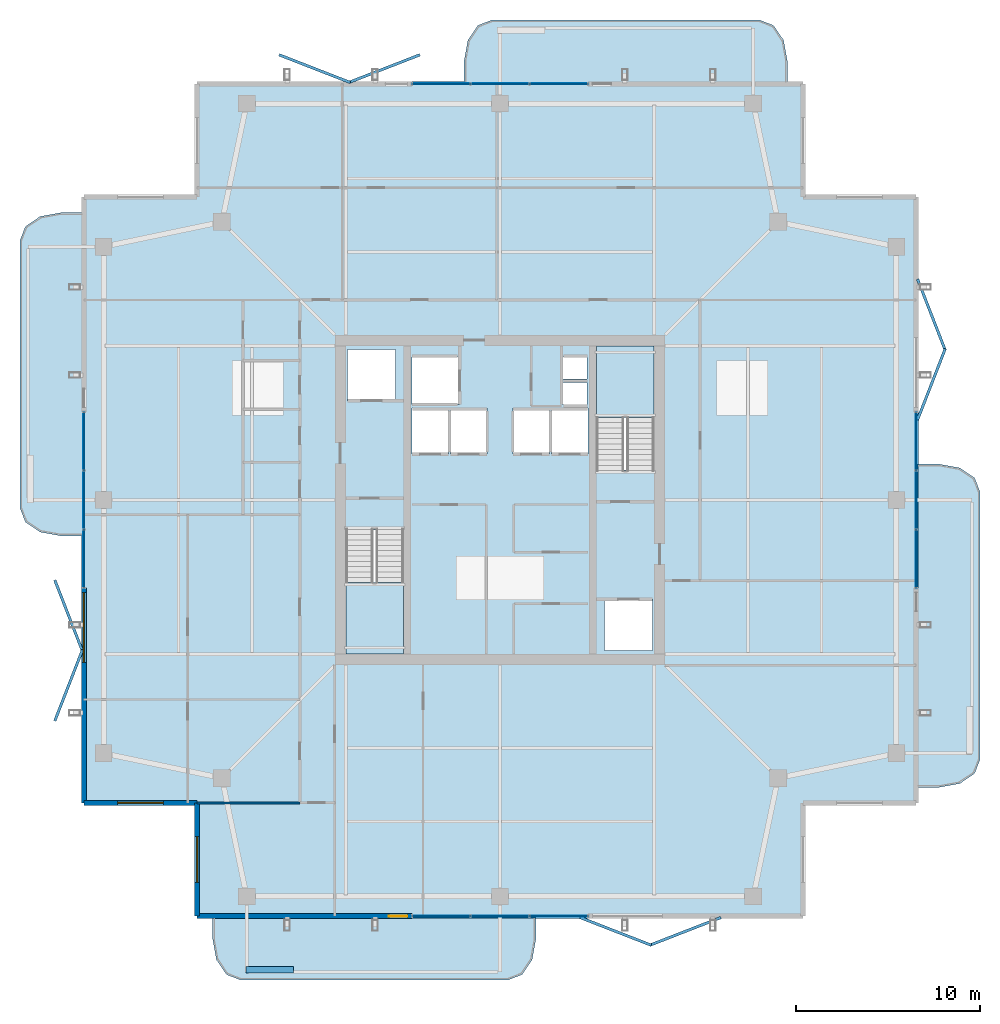
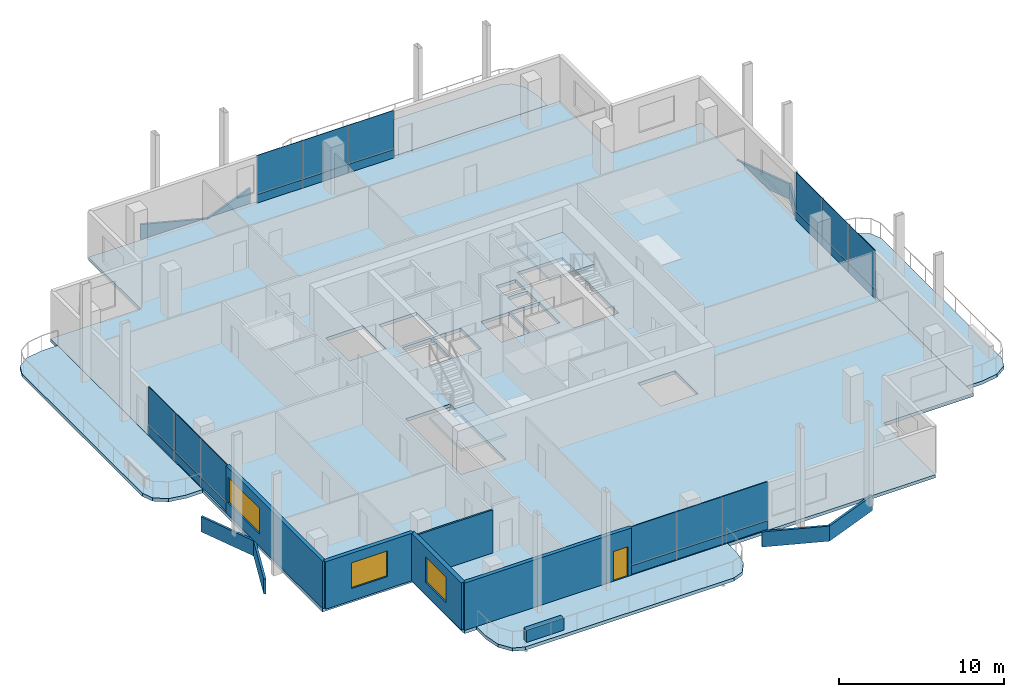
# One storey, part 13 of 20: 32 plates, 7 slabs, 6 walls, 3 windows, 1 door, 4 openings, 6 elements without a shape of their own.
"""IFC4 building model written with IfcOpenShell, lengths in metres."""

from ifc_helpers import new_model, si_unit, direction, frame, frame_2d, origin, origin_2d, place, context, subcontext, project, spatial, polyline, rectangle, outline, extrude, material, layer, layer_set, type_object, element, fill, aggregate, save


model = new_model("IFC4")

# Units and contexts
model_context = context("Model", 3, precision=1e-05, world=origin(), true_north=direction((0.0, 1.0)))
body_context = subcontext(model_context, "Body", "Model", "MODEL_VIEW")
ifc_project = project(units=[si_unit("LENGTHUNIT", "METRE"), si_unit("AREAUNIT", "SQUARE_METRE"), si_unit("VOLUMEUNIT", "CUBIC_METRE"), si_unit("PLANEANGLEUNIT", "RADIAN"), si_unit("MASSUNIT", "GRAM", prefix="KILO")], contexts=[model_context])

# Site, building, storey
site_placement = place(None, origin())
site = spatial("IfcSite", under=ifc_project, at=site_placement, CompositionType="ELEMENT")
building_placement = place(site_placement, origin())
building = spatial("IfcBuilding", under=site, at=building_placement, Name="Belovzor Exchange Tower", CompositionType="ELEMENT")
storey_placement = place(building_placement, frame((0.0, 0.0, 314.25)))
storey = spatial("IfcBuildingStorey", under=building, at=storey_placement, Name="L78", CompositionType="ELEMENT", Elevation=314.25)

# Slab
ifc_material_1 = material(Name="Concrete C40/50", Category="concrete")
ifc_layer_1 = layer(ifc_material_1, 0.239990234375)
ifc_layer_set_1 = layer_set([ifc_layer_1], Name="Concrete C40/50")
slab_type_1 = type_object("IfcSlabType", Name="Composite High-Rise Floor Deck Slab 240", PredefinedType="FLOOR", material=ifc_layer_set_1)
slab_1_placement = place(storey_placement, frame((0.0, 0.0, -0.239990234375)))
element("IfcSlab", 1, at=slab_1_placement, inside=storey, type_object=slab_type_1, Name="SL-F240 Structural Slab L78", PredefinedType="FLOOR", context=body_context, shape_type="SweptSolid", body=[
    extrude(outline(polyline([(12.300048828125, 6.0), (45.300048828125, 6.0), (45.300048828125, 12.300048828125), (51.60009765625, 12.300048828125), (51.60009765625, 45.300048828125), (45.300048828125, 45.300048828125), (45.300048828125, 51.60009765625), (12.300048828125, 51.60009765625), (12.300048828125, 45.300048828125), (6.0, 45.300048828125), (6.0, 12.300048828125), (12.300048828125, 12.300048828125), (12.300048828125, 6.0)]), holes=[polyline([(20.39990234375, 27.175048828125), (20.39990234375, 20.39990234375), (23.550048828125, 20.39990234375), (23.550048828125, 27.175048828125), (20.39990234375, 27.175048828125)]), polyline([(37.199951171875, 30.425048828125), (37.199951171875, 37.199951171875), (34.050048828125, 37.199951171875), (34.050048828125, 30.425048828125), (37.199951171875, 30.425048828125)]), polyline([(20.5, 34.199951171875), (23.10009765625, 34.199951171875), (23.10009765625, 37.0), (20.5, 37.0), (20.5, 34.199951171875)]), polyline([(34.5, 20.60009765625), (37.10009765625, 20.60009765625), (37.10009765625, 23.39990234375), (34.5, 23.39990234375), (34.5, 20.60009765625)]), polyline([(24.0, 34.0), (26.60009765625, 34.0), (26.60009765625, 36.60009765625), (24.0, 36.60009765625), (24.0, 34.0)]), polyline([(24.0, 31.300048828125), (26.0, 31.300048828125), (26.0, 33.800048828125), (24.0, 33.800048828125), (24.0, 31.300048828125)]), polyline([(26.10009765625, 31.300048828125), (28.10009765625, 31.300048828125), (28.10009765625, 33.800048828125), (26.10009765625, 33.800048828125), (26.10009765625, 31.300048828125)]), polyline([(29.5, 31.300048828125), (31.5, 31.300048828125), (31.5, 33.800048828125), (29.5, 33.800048828125), (29.5, 31.300048828125)]), polyline([(31.60009765625, 31.300048828125), (33.60009765625, 31.300048828125), (33.60009765625, 33.800048828125), (31.60009765625, 33.800048828125), (31.60009765625, 31.300048828125)]), polyline([(32.199951171875, 34.0), (33.550048828125, 34.0), (33.550048828125, 35.199951171875), (32.199951171875, 35.199951171875), (32.199951171875, 34.0)]), polyline([(32.199951171875, 35.39990234375), (33.550048828125, 35.39990234375), (33.550048828125, 36.60009765625), (32.199951171875, 36.60009765625), (32.199951171875, 35.39990234375)])]), origin(), (0.0, 0.0, 1.0), 0.239990234375),
])

# Curtain wall, plates
ifc_material_2 = material(Name="Anodised Aluminium Framing", Category="aluminium")
ifc_layer_2 = layer(ifc_material_2, 0.179931640625)
ifc_layer_set_2 = layer_set([ifc_layer_2], Name="Anodised Aluminium Framing")
curtain_wall_type = type_object("IfcCurtainWallType", Name="Recessed Loggia Low-Iron Triple-Glazed Curtain Wall", PredefinedType="NOTDEFINED", material=ifc_layer_set_2)
curtain_wall_1_placement = place(storey_placement, origin())
curtain_wall_1 = element("IfcCurtainWall", 2, at=curtain_wall_1_placement, inside=storey, type_object=curtain_wall_type, Name="CW3 Recessed Loggia Low-Iron Triple-Glazed Curtain Wall L78", PredefinedType="NOTDEFINED")
ifc_material_3 = material(Name="Solar-Control Triple Glazing", Category="glass")
ifc_layer_3 = layer(ifc_material_3, 0.0439453125)
ifc_layer_set_3 = layer_set([ifc_layer_3], Name="Solar-Control Triple Glazing")
plate_type_1 = type_object("IfcPlateType", Name="Insulated Solar Glazing Curtain Panel 44", PredefinedType="CURTAIN_PANEL", material=ifc_layer_set_3)
plate_1_placement = place(storey_placement, frame((32.0, 6.1298828125, 0.634033203125), z_axis=(0.0, 0.0, 1.0), x_axis=(-1.0, 0.0, 0.0)))
plate_1 = element("IfcPlate", 3, at=plate_1_placement, type_object=plate_type_1, Name="GLZ-44 Glazed Curtain Panel 1", PredefinedType="CURTAIN_PANEL", context=body_context, shape_type="SweptSolid", body=[
    extrude(rectangle(XDim=3.18408203125, YDim=0.0439453125, at=origin_2d()), origin(), (0.0, 0.0, 1.0), 2.8759765625),
])
plate_2_placement = place(storey_placement, frame((28.800048828125, 6.1298828125, 0.634033203125), z_axis=(0.0, 0.0, 1.0), x_axis=(-1.0, 0.0, 0.0)))
plate_2 = element("IfcPlate", 4, at=plate_2_placement, type_object=plate_type_1, Name="GLZ-44 Glazed Curtain Panel 2", PredefinedType="CURTAIN_PANEL", context=body_context, shape_type="SweptSolid", body=[
    extrude(rectangle(XDim=3.18408203125, YDim=0.0439453125, at=origin_2d()), origin(), (0.0, 0.0, 1.0), 2.8759765625),
])
plate_3_placement = place(storey_placement, frame((25.60009765625, 6.1298828125, 0.634033203125), z_axis=(0.0, 0.0, 1.0), x_axis=(-1.0, 0.0, 0.0)))
plate_3 = element("IfcPlate", 5, at=plate_3_placement, type_object=plate_type_1, Name="GLZ-44 Glazed Curtain Panel 3", PredefinedType="CURTAIN_PANEL", context=body_context, shape_type="SweptSolid", body=[
    extrude(rectangle(XDim=3.18408203125, YDim=0.0439453125, at=origin_2d()), origin(), (0.0, 0.0, 1.0), 2.8759765625),
])

curtain_wall_2_placement = place(storey_placement, origin())
curtain_wall_2 = element("IfcCurtainWall", 6, at=curtain_wall_2_placement, inside=storey, type_object=curtain_wall_type, Name="CW3 Recessed Loggia Low-Iron Triple-Glazed Curtain Wall L78", PredefinedType="NOTDEFINED")
plate_4_placement = place(storey_placement, frame((25.60009765625, 51.469970703125, 0.634033203125), z_axis=(0.0, 0.0, 1.0), x_axis=(1.0, 0.0, 0.0)))
plate_4 = element("IfcPlate", 7, at=plate_4_placement, type_object=plate_type_1, Name="GLZ-44 Glazed Curtain Panel 1", PredefinedType="CURTAIN_PANEL", context=body_context, shape_type="SweptSolid", body=[
    extrude(rectangle(XDim=3.18408203125, YDim=0.0439453125, at=origin_2d()), origin(), (0.0, 0.0, 1.0), 2.8759765625),
])
plate_5_placement = place(storey_placement, frame((28.800048828125, 51.469970703125, 0.634033203125), z_axis=(0.0, 0.0, 1.0), x_axis=(1.0, 0.0, 0.0)))
plate_5 = element("IfcPlate", 8, at=plate_5_placement, type_object=plate_type_1, Name="GLZ-44 Glazed Curtain Panel 2", PredefinedType="CURTAIN_PANEL", context=body_context, shape_type="SweptSolid", body=[
    extrude(rectangle(XDim=3.18408203125, YDim=0.0439453125, at=origin_2d()), origin(), (0.0, 0.0, 1.0), 2.8759765625),
])
plate_6_placement = place(storey_placement, frame((32.0, 51.469970703125, 0.634033203125), z_axis=(0.0, 0.0, 1.0), x_axis=(1.0, 0.0, 0.0)))
plate_6 = element("IfcPlate", 9, at=plate_6_placement, type_object=plate_type_1, Name="GLZ-44 Glazed Curtain Panel 3", PredefinedType="CURTAIN_PANEL", context=body_context, shape_type="SweptSolid", body=[
    extrude(rectangle(XDim=3.18408203125, YDim=0.0439453125, at=origin_2d()), origin(), (0.0, 0.0, 1.0), 2.8759765625),
])

curtain_wall_3_placement = place(storey_placement, origin())
curtain_wall_3 = element("IfcCurtainWall", 10, at=curtain_wall_3_placement, inside=storey, type_object=curtain_wall_type, Name="CW3 Recessed Loggia Low-Iron Triple-Glazed Curtain Wall L78", PredefinedType="NOTDEFINED")
plate_7_placement = place(storey_placement, frame((6.1298828125, 25.60009765625, 0.634033203125), z_axis=(0.0, 0.0, 1.0), x_axis=(0.0, 1.0, 0.0)))
plate_7 = element("IfcPlate", 11, at=plate_7_placement, type_object=plate_type_1, Name="GLZ-44 Glazed Curtain Panel 1", PredefinedType="CURTAIN_PANEL", context=body_context, shape_type="SweptSolid", body=[
    extrude(rectangle(XDim=3.18408203125, YDim=0.0439453125, at=origin_2d()), origin(), (0.0, 0.0, 1.0), 2.8759765625),
])
plate_8_placement = place(storey_placement, frame((6.1298828125, 28.800048828125, 0.634033203125), z_axis=(0.0, 0.0, 1.0), x_axis=(0.0, 1.0, 0.0)))
plate_8 = element("IfcPlate", 12, at=plate_8_placement, type_object=plate_type_1, Name="GLZ-44 Glazed Curtain Panel 2", PredefinedType="CURTAIN_PANEL", context=body_context, shape_type="SweptSolid", body=[
    extrude(rectangle(XDim=3.18408203125, YDim=0.0439453125, at=origin_2d()), origin(), (0.0, 0.0, 1.0), 2.8759765625),
])
plate_9_placement = place(storey_placement, frame((6.1298828125, 32.0, 0.634033203125), z_axis=(0.0, 0.0, 1.0), x_axis=(0.0, 1.0, 0.0)))
plate_9 = element("IfcPlate", 13, at=plate_9_placement, type_object=plate_type_1, Name="GLZ-44 Glazed Curtain Panel 3", PredefinedType="CURTAIN_PANEL", context=body_context, shape_type="SweptSolid", body=[
    extrude(rectangle(XDim=3.18408203125, YDim=0.0439453125, at=origin_2d()), origin(), (0.0, 0.0, 1.0), 2.8759765625),
])

curtain_wall_4_placement = place(storey_placement, origin())
curtain_wall_4 = element("IfcCurtainWall", 14, at=curtain_wall_4_placement, inside=storey, type_object=curtain_wall_type, Name="CW3 Recessed Loggia Low-Iron Triple-Glazed Curtain Wall L78", PredefinedType="NOTDEFINED")
plate_10_placement = place(storey_placement, frame((51.469970703125, 32.0, 0.634033203125), z_axis=(0.0, 0.0, 1.0), x_axis=(0.0, -1.0, 0.0)))
plate_10 = element("IfcPlate", 15, at=plate_10_placement, type_object=plate_type_1, Name="GLZ-44 Glazed Curtain Panel 1", PredefinedType="CURTAIN_PANEL", context=body_context, shape_type="SweptSolid", body=[
    extrude(rectangle(XDim=3.18408203125, YDim=0.0439453125, at=origin_2d()), origin(), (0.0, 0.0, 1.0), 2.8759765625),
])
plate_11_placement = place(storey_placement, frame((51.469970703125, 28.800048828125, 0.634033203125), z_axis=(0.0, 0.0, 1.0), x_axis=(0.0, -1.0, 0.0)))
plate_11 = element("IfcPlate", 16, at=plate_11_placement, type_object=plate_type_1, Name="GLZ-44 Glazed Curtain Panel 2", PredefinedType="CURTAIN_PANEL", context=body_context, shape_type="SweptSolid", body=[
    extrude(rectangle(XDim=3.18408203125, YDim=0.0439453125, at=origin_2d()), origin(), (0.0, 0.0, 1.0), 2.8759765625),
])
plate_12_placement = place(storey_placement, frame((51.469970703125, 25.60009765625, 0.634033203125), z_axis=(0.0, 0.0, 1.0), x_axis=(0.0, -1.0, 0.0)))
plate_12 = element("IfcPlate", 17, at=plate_12_placement, type_object=plate_type_1, Name="GLZ-44 Glazed Curtain Panel 3", PredefinedType="CURTAIN_PANEL", context=body_context, shape_type="SweptSolid", body=[
    extrude(rectangle(XDim=3.18408203125, YDim=0.0439453125, at=origin_2d()), origin(), (0.0, 0.0, 1.0), 2.8759765625),
])

# Stair, slab
ifc_material_4 = material(Name="Concrete C40/50", Category="concrete")
stair_type = type_object("IfcStairType", Name="Reinforced Concrete Dogleg Escape Stair 1350", PredefinedType="HALF_TURN_STAIR", material=ifc_material_4)
stair_1_placement = place(storey_placement, origin())
stair_1 = element("IfcStair", 18, at=stair_1_placement, inside=storey, type_object=stair_type, Name="L78 ST-1", PredefinedType="HALF_TURN_STAIR")
ifc_material_5 = material(Name="Concrete C40/50", Category="concrete")
ifc_layer_4 = layer(ifc_material_5, 0.199951171875)
ifc_layer_set_4 = layer_set([ifc_layer_4], Name="Concrete C40/50")
slab_type_2 = type_object("IfcSlabType", Name="Reinforced Concrete Stair Half-Landing Slab 200", PredefinedType="LANDING", material=ifc_layer_set_4)
slab_2_placement = place(storey_placement, frame((0.0, 0.0, 1.675048828125)))
slab_2 = element("IfcSlab", 19, at=slab_2_placement, type_object=slab_type_2, Name="ST-1 landing 1", PredefinedType="LANDING", context=body_context, shape_type="SweptSolid", body=[
    extrude(outline(polyline([(20.39990234375, 24.300048828125), (20.39990234375, 20.39990234375), (23.550048828125, 20.39990234375), (23.550048828125, 24.300048828125), (20.39990234375, 24.300048828125)])), origin(), (0.0, 0.0, 1.0), 0.199951171875),
])
aggregate(stair_1, [slab_2])

stair_2_placement = place(storey_placement, origin())
stair_2 = element("IfcStair", 20, at=stair_2_placement, inside=storey, type_object=stair_type, Name="L78 ST-2", PredefinedType="HALF_TURN_STAIR")
slab_3_placement = place(storey_placement, frame((0.0, 0.0, 1.675048828125)))
slab_3 = element("IfcSlab", 21, at=slab_3_placement, type_object=slab_type_2, Name="ST-2 landing 1", PredefinedType="LANDING", context=body_context, shape_type="SweptSolid", body=[
    extrude(outline(polyline([(37.199951171875, 33.300048828125), (37.199951171875, 37.199951171875), (34.050048828125, 37.199951171875), (34.050048828125, 33.300048828125), (37.199951171875, 33.300048828125)])), origin(), (0.0, 0.0, 1.0), 0.199951171875),
])
aggregate(stair_2, [slab_3])

# Plate
ifc_material_6 = material(Name="Extruded Architectural Terracotta", Category="masonry")
ifc_layer_5 = layer(ifc_material_6, 0.090087890625)
ifc_layer_set_5 = layer_set([ifc_layer_5], Name="Extruded Architectural Terracotta")
plate_type_2 = type_object("IfcPlateType", Name="Terracotta Shadow-Box Spandrel Panel 90", PredefinedType="CURTAIN_PANEL", material=ifc_layer_set_5)
plate_13_placement = place(storey_placement, frame((32.0, 6.1298828125, 0.0), z_axis=(0.0, 0.0, 1.0), x_axis=(-1.0, 0.0, 0.0)))
plate_13 = element("IfcPlate", 22, at=plate_13_placement, type_object=plate_type_2, Name="SPD-90 Spandrel Panel 1", PredefinedType="CURTAIN_PANEL", context=body_context, shape_type="SweptSolid", body=[
    extrude(rectangle(XDim=3.18408203125, YDim=0.090087890625, at=origin_2d()), origin(), (0.0, 0.0, 1.0), 0.6298828125),
])

plate_14_placement = place(storey_placement, frame((28.800048828125, 6.1298828125, 0.0), z_axis=(0.0, 0.0, 1.0), x_axis=(-1.0, 0.0, 0.0)))
plate_14 = element("IfcPlate", 23, at=plate_14_placement, type_object=plate_type_2, Name="SPD-90 Spandrel Panel 2", PredefinedType="CURTAIN_PANEL", context=body_context, shape_type="SweptSolid", body=[
    extrude(rectangle(XDim=3.18408203125, YDim=0.090087890625, at=origin_2d()), origin(), (0.0, 0.0, 1.0), 0.6298828125),
])

plate_15_placement = place(storey_placement, frame((25.60009765625, 6.1298828125, 0.0), z_axis=(0.0, 0.0, 1.0), x_axis=(-1.0, 0.0, 0.0)))
plate_15 = element("IfcPlate", 24, at=plate_15_placement, type_object=plate_type_2, Name="SPD-90 Spandrel Panel 3", PredefinedType="CURTAIN_PANEL", context=body_context, shape_type="SweptSolid", body=[
    extrude(rectangle(XDim=3.18408203125, YDim=0.090087890625, at=origin_2d()), origin(), (0.0, 0.0, 1.0), 0.6298828125),
])

aggregate(curtain_wall_1, [plate_13, plate_1, plate_14, plate_2, plate_15, plate_3])

plate_16_placement = place(storey_placement, frame((25.60009765625, 51.469970703125, 0.0), z_axis=(0.0, 0.0, 1.0), x_axis=(1.0, 0.0, 0.0)))
plate_16 = element("IfcPlate", 25, at=plate_16_placement, type_object=plate_type_2, Name="SPD-90 Spandrel Panel 1", PredefinedType="CURTAIN_PANEL", context=body_context, shape_type="SweptSolid", body=[
    extrude(rectangle(XDim=3.18408203125, YDim=0.090087890625, at=origin_2d()), origin(), (0.0, 0.0, 1.0), 0.6298828125),
])

plate_17_placement = place(storey_placement, frame((28.800048828125, 51.469970703125, 0.0), z_axis=(0.0, 0.0, 1.0), x_axis=(1.0, 0.0, 0.0)))
plate_17 = element("IfcPlate", 26, at=plate_17_placement, type_object=plate_type_2, Name="SPD-90 Spandrel Panel 2", PredefinedType="CURTAIN_PANEL", context=body_context, shape_type="SweptSolid", body=[
    extrude(rectangle(XDim=3.18408203125, YDim=0.090087890625, at=origin_2d()), origin(), (0.0, 0.0, 1.0), 0.6298828125),
])

plate_18_placement = place(storey_placement, frame((32.0, 51.469970703125, 0.0), z_axis=(0.0, 0.0, 1.0), x_axis=(1.0, 0.0, 0.0)))
plate_18 = element("IfcPlate", 27, at=plate_18_placement, type_object=plate_type_2, Name="SPD-90 Spandrel Panel 3", PredefinedType="CURTAIN_PANEL", context=body_context, shape_type="SweptSolid", body=[
    extrude(rectangle(XDim=3.18408203125, YDim=0.090087890625, at=origin_2d()), origin(), (0.0, 0.0, 1.0), 0.6298828125),
])

aggregate(curtain_wall_2, [plate_16, plate_4, plate_17, plate_5, plate_18, plate_6])

plate_19_placement = place(storey_placement, frame((6.1298828125, 25.60009765625, 0.0), z_axis=(0.0, 0.0, 1.0), x_axis=(0.0, 1.0, 0.0)))
plate_19 = element("IfcPlate", 28, at=plate_19_placement, type_object=plate_type_2, Name="SPD-90 Spandrel Panel 1", PredefinedType="CURTAIN_PANEL", context=body_context, shape_type="SweptSolid", body=[
    extrude(rectangle(XDim=3.18408203125, YDim=0.090087890625, at=origin_2d()), origin(), (0.0, 0.0, 1.0), 0.6298828125),
])

plate_20_placement = place(storey_placement, frame((6.1298828125, 28.800048828125, 0.0), z_axis=(0.0, 0.0, 1.0), x_axis=(0.0, 1.0, 0.0)))
plate_20 = element("IfcPlate", 29, at=plate_20_placement, type_object=plate_type_2, Name="SPD-90 Spandrel Panel 2", PredefinedType="CURTAIN_PANEL", context=body_context, shape_type="SweptSolid", body=[
    extrude(rectangle(XDim=3.18408203125, YDim=0.090087890625, at=origin_2d()), origin(), (0.0, 0.0, 1.0), 0.6298828125),
])

plate_21_placement = place(storey_placement, frame((6.1298828125, 32.0, 0.0), z_axis=(0.0, 0.0, 1.0), x_axis=(0.0, 1.0, 0.0)))
plate_21 = element("IfcPlate", 30, at=plate_21_placement, type_object=plate_type_2, Name="SPD-90 Spandrel Panel 3", PredefinedType="CURTAIN_PANEL", context=body_context, shape_type="SweptSolid", body=[
    extrude(rectangle(XDim=3.18408203125, YDim=0.090087890625, at=origin_2d()), origin(), (0.0, 0.0, 1.0), 0.6298828125),
])

aggregate(curtain_wall_3, [plate_19, plate_7, plate_20, plate_8, plate_21, plate_9])

plate_22_placement = place(storey_placement, frame((51.469970703125, 32.0, 0.0), z_axis=(0.0, 0.0, 1.0), x_axis=(0.0, -1.0, 0.0)))
plate_22 = element("IfcPlate", 31, at=plate_22_placement, type_object=plate_type_2, Name="SPD-90 Spandrel Panel 1", PredefinedType="CURTAIN_PANEL", context=body_context, shape_type="SweptSolid", body=[
    extrude(rectangle(XDim=3.18408203125, YDim=0.090087890625, at=origin_2d()), origin(), (0.0, 0.0, 1.0), 0.6298828125),
])

plate_23_placement = place(storey_placement, frame((51.469970703125, 28.800048828125, 0.0), z_axis=(0.0, 0.0, 1.0), x_axis=(0.0, -1.0, 0.0)))
plate_23 = element("IfcPlate", 32, at=plate_23_placement, type_object=plate_type_2, Name="SPD-90 Spandrel Panel 2", PredefinedType="CURTAIN_PANEL", context=body_context, shape_type="SweptSolid", body=[
    extrude(rectangle(XDim=3.18408203125, YDim=0.090087890625, at=origin_2d()), origin(), (0.0, 0.0, 1.0), 0.6298828125),
])

plate_24_placement = place(storey_placement, frame((51.469970703125, 25.60009765625, 0.0), z_axis=(0.0, 0.0, 1.0), x_axis=(0.0, -1.0, 0.0)))
plate_24 = element("IfcPlate", 33, at=plate_24_placement, type_object=plate_type_2, Name="SPD-90 Spandrel Panel 3", PredefinedType="CURTAIN_PANEL", context=body_context, shape_type="SweptSolid", body=[
    extrude(rectangle(XDim=3.18408203125, YDim=0.090087890625, at=origin_2d()), origin(), (0.0, 0.0, 1.0), 0.6298828125),
])

aggregate(curtain_wall_4, [plate_22, plate_10, plate_23, plate_11, plate_24, plate_12])

# Slabs
ifc_material_7 = material(Name="Concrete C40/50", Category="concrete")
ifc_layer_6 = layer(ifc_material_7, 0.239990234375)
ifc_layer_set_6 = layer_set([ifc_layer_6], Name="Concrete C40/50")
slab_type_3 = type_object("IfcSlabType", Name="Thermally Broken Upper Balcony Slab 240", PredefinedType="FLOOR", material=ifc_layer_set_6)
slab_4_placement = place(storey_placement, frame((0.0, 0.0, -0.239990234375)))
element("IfcSlab", 34, at=slab_4_placement, inside=storey, type_object=slab_type_3, Name="SL-BAL220 Planted Balcony Loggia L78 South", PredefinedType="FLOOR", context=body_context, shape_type="SweptSolid", body=[
    extrude(outline(polyline([(13.14990234375, 6.014892578125), (13.14990234375, 4.85009765625), (13.35107421875, 3.75), (13.89990234375, 2.945068359375), (14.64990234375, 2.64990234375), (29.25, 2.64990234375), (30.0, 2.945068359375), (30.549072265625, 3.75), (30.75, 4.85009765625), (30.75, 6.014892578125), (13.14990234375, 6.014892578125)])), origin(), (0.0, 0.0, 1.0), 0.239990234375),
])
slab_5_placement = place(storey_placement, frame((0.0, 0.0, -0.239990234375)))
element("IfcSlab", 35, at=slab_5_placement, inside=storey, type_object=slab_type_3, Name="SL-BAL220 Planted Balcony Loggia L78 North", PredefinedType="FLOOR", context=body_context, shape_type="SweptSolid", body=[
    extrude(outline(polyline([(44.449951171875, 51.5849609375), (44.449951171875, 52.75), (44.2490234375, 53.85009765625), (43.699951171875, 54.655029296875), (42.949951171875, 54.949951171875), (28.35009765625, 54.949951171875), (27.60009765625, 54.655029296875), (27.051025390625, 53.85009765625), (26.85009765625, 52.75), (26.85009765625, 51.5849609375), (44.449951171875, 51.5849609375)])), origin(), (0.0, 0.0, 1.0), 0.239990234375),
])
slab_6_placement = place(storey_placement, frame((0.0, 0.0, -0.239990234375)))
element("IfcSlab", 36, at=slab_6_placement, inside=storey, type_object=slab_type_3, Name="SL-BAL220 Planted Balcony Loggia L78 East", PredefinedType="FLOOR", context=body_context, shape_type="SweptSolid", body=[
    extrude(outline(polyline([(51.5849609375, 13.14990234375), (52.75, 13.14990234375), (53.85009765625, 13.35107421875), (54.655029296875, 13.89990234375), (54.949951171875, 14.64990234375), (54.949951171875, 29.25), (54.655029296875, 30.0), (53.85009765625, 30.549072265625), (52.75, 30.75), (51.5849609375, 30.75), (51.5849609375, 13.14990234375)])), origin(), (0.0, 0.0, 1.0), 0.239990234375),
])
slab_7_placement = place(storey_placement, frame((0.0, 0.0, -0.239990234375)))
element("IfcSlab", 37, at=slab_7_placement, inside=storey, type_object=slab_type_3, Name="SL-BAL220 Planted Balcony Loggia L78 West", PredefinedType="FLOOR", context=body_context, shape_type="SweptSolid", body=[
    extrude(outline(polyline([(6.014892578125, 44.449951171875), (4.85009765625, 44.449951171875), (3.75, 44.2490234375), (2.945068359375, 43.699951171875), (2.64990234375, 42.949951171875), (2.64990234375, 28.35009765625), (2.945068359375, 27.60009765625), (3.75, 27.051025390625), (4.85009765625, 26.85009765625), (6.014892578125, 26.85009765625), (6.014892578125, 44.449951171875)])), origin(), (0.0, 0.0, 1.0), 0.239990234375),
])

# Plates
ifc_material_8 = material(Name="Extruded Architectural Terracotta", Category="masonry")
ifc_layer_7 = layer(ifc_material_8, 0.14990234375)
ifc_layer_set_7 = layer_set([ifc_layer_7], Name="Extruded Architectural Terracotta")
plate_type_3 = type_object("IfcPlateType", Name="Upper-Crown Deep Folded Zigzag Terracotta Spandrel Louvre 150", PredefinedType="USERDEFINED", material=ifc_layer_set_7)
for number, where, z_axis, x_axis, name in (
    (38, (18.699951171875, 52.300048828125, -1.10498046875), (0.0, 0.0, 1.0), (0.931817969421, -0.362925986758, 0.0), "LVR-ZZ3 Zigzag Terracotta Spandrel Louvre L78 N1A"),
    (39, (22.5, 52.300048828125, -1.10498046875), (0.0, 0.0, 1.0), (0.931817969421, 0.362925986758, 0.0), "LVR-ZZ3 Zigzag Terracotta Spandrel Louvre L78 N1B"),
    (40, (5.300048828125, 18.699951171875, -1.10498046875), (0.0, 0.0, 1.0), (0.362925986758, 0.931817969421, 0.0), "LVR-ZZ3 Zigzag Terracotta Spandrel Louvre L78 W1A"),
    (41, (5.300048828125, 22.5, -1.10498046875), (0.0, 0.0, 1.0), (-0.362925986758, 0.931817969421, 0.0), "LVR-ZZ3 Zigzag Terracotta Spandrel Louvre L78 W1B"),
    (42, (35.10009765625, 5.300048828125, -1.10498046875), (0.0, 0.0, 1.0), (0.931817969421, -0.362925986758, 0.0), "LVR-ZZ3 Zigzag Terracotta Spandrel Louvre L78 S2A"),
    (43, (38.89990234375, 5.300048828125, -1.10498046875), (0.0, 0.0, 1.0), (0.931817969421, 0.362925986758, 0.0), "LVR-ZZ3 Zigzag Terracotta Spandrel Louvre L78 S2B"),
    (44, (52.300048828125, 35.10009765625, -1.10498046875), (0.0, 0.0, 1.0), (0.362925986758, 0.931817969421, 0.0), "LVR-ZZ3 Zigzag Terracotta Spandrel Louvre L78 E2A"),
    (45, (52.300048828125, 38.89990234375, -1.10498046875), (0.0, 0.0, 1.0), (-0.362925986758, 0.931817969421, 0.0), "LVR-ZZ3 Zigzag Terracotta Spandrel Louvre L78 E2B"),
):
    element("IfcPlate", number, at=place(storey_placement, frame(where, z_axis=z_axis, x_axis=x_axis)), inside=storey, type_object=plate_type_3, Name=name, ObjectType="SPANDREL_LOUVRE", PredefinedType="USERDEFINED", context=body_context, shape_type="SweptSolid", body=[
        extrude(rectangle(XDim=4.157958984375, YDim=0.14990234375, at=origin_2d()), origin(), (0.0, 0.0, 1.0), 1.1201171875),
    ])

# Wall
ifc_material_9 = material(Name="Acoustic Plasterboard on Galvanised Studs", Category="gypsum")
ifc_layer_8 = layer(ifc_material_9, 0.1201171875)
ifc_layer_set_8 = layer_set([ifc_layer_8], Name="Acoustic Plasterboard on Galvanised Studs")
wall_type_1 = type_object("IfcWallType", Name="Acoustic Double-Stud Partition Wall 120", PredefinedType="PARTITIONING", material=ifc_layer_set_8)
wall_1_placement = place(storey_placement, frame((12.300048828125, 12.300048828125, 0.0), z_axis=(0.0, 0.0, 1.0), x_axis=(1.0, 0.0, 0.0)))
element("IfcWall", 46, at=wall_1_placement, inside=storey, type_object=wall_type_1, Name="W-P120 Partition Wall W-L78-SWS", PredefinedType="PARTITIONING", context=body_context, shape_type="SweptSolid", body=[
    extrude(rectangle(XDim=5.599853515625, YDim=0.1201171875, at=frame_2d((2.7998046875, 0.0))), origin(), (0.0, 0.0, 1.0), 3.195068359375),
])

# Wall, opening, window
ifc_material_10 = material(Name="Precast concrete C40/50", Category="concrete")
ifc_layer_9 = layer(ifc_material_10, 0.280029296875)
ifc_layer_set_9 = layer_set([ifc_layer_9], Name="Precast concrete C40/50")
wall_type_2 = type_object("IfcWallType", Name="Precast Concrete Notched Corner Frame Wall 280", PredefinedType="SOLIDWALL", material=ifc_layer_set_9)
wall_2_placement = place(storey_placement, frame((12.300048828125, 6.1298828125, 0.0), z_axis=(0.0, 0.0, 1.0), x_axis=(0.0, 1.0, 0.0)))
wall_2 = element("IfcWall", 47, at=wall_2_placement, inside=storey, type_object=wall_type_2, Name="W-CRN280 Precast Concrete Notched Corner Frame Wall 280 L78", PredefinedType="SOLIDWALL", context=body_context, shape_type="SweptSolid", body=[
    extrude(rectangle(XDim=6.170166015625, YDim=0.280029296875, at=frame_2d((3.0849609375, 0.0))), origin(), (0.0, 0.0, 1.0), 3.510009765625),
])
opening_1_placement = place(wall_2_placement, frame((1.8349609375, 0.0, 0.89990234375)))
opening_1 = element("IfcOpeningElement", 48, at=opening_1_placement, cuts=wall_2, Name="Opening WN-CRN250", PredefinedType="OPENING", context=body_context, shape_type="SweptSolid", body=[
    extrude(rectangle(XDim=2.5, YDim=1.89990234375, at=frame_2d((1.25, 0.949951171875))), frame((0.0, 0.14990234375, 0.0), z_axis=(0.0, -1.0, 0.0), x_axis=(1.0, 0.0, 0.0)), (0.0, 0.0, 1.0), 0.300048828125),
])
ifc_material_11 = material(Name="Thermally Broken Aluminium and Triple Glazing", Category="aluminium")
window_type_1 = type_object("IfcWindowType", Name="Streamline Moderne Corner Wrap Ribbon Window 2500x1900", PartitioningType="SINGLE_PANEL", PredefinedType="WINDOW", material=ifc_material_11)
window_1_placement = place(opening_1_placement, origin())
window_1 = element("IfcWindow", 49, at=window_1_placement, inside=storey, type_object=window_type_1, Name="WN-CRN250 Streamline Moderne Corner Wrap Ribbon Window 2500x1900", OverallHeight=1.89990234375, OverallWidth=2.5, PartitioningType="SINGLE_PANEL", PredefinedType="WINDOW", context=body_context, shape_type="SweptSolid", body=[
    extrude(rectangle(XDim=2.5, YDim=1.89990234375, at=frame_2d((1.25, 0.949951171875))), frame((0.0, 0.030029296875, 0.0), z_axis=(0.0, -1.0, 0.0), x_axis=(1.0, 0.0, 0.0)), (0.0, 0.0, 1.0), 0.06005859375),
])
fill(opening_1, window_1)

wall_3_placement = place(storey_placement, frame((12.300048828125, 12.300048828125, 0.0), z_axis=(0.0, 0.0, 1.0), x_axis=(-1.0, 0.0, 0.0)))
wall_3 = element("IfcWall", 50, at=wall_3_placement, inside=storey, type_object=wall_type_2, Name="W-CRN280 Precast Concrete Notched Corner Frame Wall 280 L78", PredefinedType="SOLIDWALL", context=body_context, shape_type="SweptSolid", body=[
    extrude(rectangle(XDim=6.170166015625, YDim=0.280029296875, at=frame_2d((3.0849609375, 0.0))), origin(), (0.0, 0.0, 1.0), 3.510009765625),
])
opening_2_placement = place(wall_3_placement, frame((1.8349609375, 0.0, 0.89990234375)))
opening_2 = element("IfcOpeningElement", 51, at=opening_2_placement, cuts=wall_3, Name="Opening WN-CRN250", PredefinedType="OPENING", context=body_context, shape_type="SweptSolid", body=[
    extrude(rectangle(XDim=2.5, YDim=1.89990234375, at=frame_2d((1.25, 0.949951171875))), frame((0.0, 0.14990234375, 0.0), z_axis=(0.0, -1.0, 0.0), x_axis=(1.0, 0.0, 0.0)), (0.0, 0.0, 1.0), 0.300048828125),
])
window_2_placement = place(opening_2_placement, origin())
window_2 = element("IfcWindow", 52, at=window_2_placement, inside=storey, type_object=window_type_1, Name="WN-CRN250 Streamline Moderne Corner Wrap Ribbon Window 2500x1900", OverallHeight=1.89990234375, OverallWidth=2.5, PartitioningType="SINGLE_PANEL", PredefinedType="WINDOW", context=body_context, shape_type="SweptSolid", body=[
    extrude(rectangle(XDim=2.5, YDim=1.89990234375, at=frame_2d((1.25, 0.949951171875))), frame((0.0, 0.030029296875, 0.0), z_axis=(0.0, -1.0, 0.0), x_axis=(1.0, 0.0, 0.0)), (0.0, 0.0, 1.0), 0.06005859375),
])
fill(opening_2, window_2)

# Wall, opening, door
ifc_material_12 = material(Name="Precast concrete C40/50", Category="concrete")
ifc_layer_10 = layer(ifc_material_12, 0.260009765625)
ifc_layer_set_10 = layer_set([ifc_layer_10], Name="Precast concrete C40/50")
wall_type_3 = type_object("IfcWallType", Name="Precast Concrete Perimeter Loggia Frame Wall 260", PredefinedType="SOLIDWALL", material=ifc_layer_set_10)
wall_4_placement = place(storey_placement, frame((24.0, 6.1298828125, 0.0), z_axis=(0.0, 0.0, 1.0), x_axis=(-1.0, 0.0, 0.0)))
wall_4 = element("IfcWall", 53, at=wall_4_placement, inside=storey, type_object=wall_type_3, Name="W-EXT260 Precast Concrete Perimeter Loggia Frame Wall 260 L78", PredefinedType="SOLIDWALL", context=body_context, shape_type="SweptSolid", body=[
    extrude(rectangle(XDim=11.699951171875, YDim=0.260009765625, at=frame_2d((5.85009765625, 0.0))), origin(), (0.0, 0.0, 1.0), 3.510009765625),
])
opening_3_placement = place(wall_4_placement, frame((0.25, 0.0, 0.0)))
opening_3 = element("IfcOpeningElement", 54, at=opening_3_placement, cuts=wall_4, Name="Opening D-BAL100", PredefinedType="OPENING", context=body_context, shape_type="SweptSolid", body=[
    extrude(rectangle(XDim=1.0, YDim=2.199951171875, at=frame_2d((0.5, 1.10009765625))), frame((0.0, 0.139892578125, 0.0), z_axis=(0.0, -1.0, 0.0), x_axis=(1.0, 0.0, 0.0)), (0.0, 0.0, 1.0), 0.280029296875),
])
ifc_material_13 = material(Name="Thermally Broken Anodised Aluminium and Laminated Glass", Category="aluminium")
door_type = type_object("IfcDoorType", Name="Planted Loggia Terrace Glazed Door 1000x2200", OperationType="SINGLE_SWING_LEFT", PredefinedType="DOOR", material=ifc_material_13)
door_placement = place(opening_3_placement, origin())
door = element("IfcDoor", 55, at=door_placement, inside=storey, type_object=door_type, Name="D-BAL100 Balcony Terrace Door L78 S", OperationType="SINGLE_SWING_LEFT", OverallHeight=2.199951171875, OverallWidth=1.0, PredefinedType="DOOR", context=body_context, shape_type="SweptSolid", body=[
    extrude(rectangle(XDim=1.0, YDim=2.199951171875, at=frame_2d((0.5, 1.10009765625))), frame((0.0, 0.02490234375, 0.0), z_axis=(0.0, -1.0, 0.0), x_axis=(1.0, 0.0, 0.0)), (0.0, 0.0, 1.0), 0.050048828125),
])
fill(opening_3, door)

# Wall, opening, window
wall_5_placement = place(storey_placement, frame((6.1298828125, 12.300048828125, 0.0), z_axis=(0.0, 0.0, 1.0), x_axis=(0.0, 1.0, 0.0)))
wall_5 = element("IfcWall", 56, at=wall_5_placement, inside=storey, type_object=wall_type_3, Name="W-EXT260 Precast Concrete Perimeter Loggia Frame Wall 260 L78", PredefinedType="SOLIDWALL", context=body_context, shape_type="SweptSolid", body=[
    extrude(rectangle(XDim=11.699951171875, YDim=0.260009765625, at=frame_2d((5.85009765625, 0.0))), origin(), (0.0, 0.0, 1.0), 3.510009765625),
])
opening_4_placement = place(wall_5_placement, frame((7.64990234375, 0.0, 0.89990234375)))
opening_4 = element("IfcOpeningElement", 57, at=opening_4_placement, cuts=wall_5, Name="Opening WN-RIB380", PredefinedType="OPENING", context=body_context, shape_type="SweptSolid", body=[
    extrude(rectangle(XDim=3.800048828125, YDim=1.89990234375, at=frame_2d((1.89990234375, 0.949951171875))), frame((0.0, 0.139892578125, 0.0), z_axis=(0.0, -1.0, 0.0), x_axis=(1.0, 0.0, 0.0)), (0.0, 0.0, 1.0), 0.280029296875),
])
ifc_material_14 = material(Name="Thermally Broken Aluminium and Triple Glazing", Category="aluminium")
window_type_2 = type_object("IfcWindowType", Name="Streamline Moderne Horizontal Ribbon Window 3800x1900", PartitioningType="SINGLE_PANEL", PredefinedType="WINDOW", material=ifc_material_14)
window_3_placement = place(opening_4_placement, origin())
window_3 = element("IfcWindow", 58, at=window_3_placement, inside=storey, type_object=window_type_2, Name="WN-RIB380 Streamline Moderne Horizontal Ribbon Window 3800x1900", OverallHeight=1.89990234375, OverallWidth=3.800048828125, PartitioningType="SINGLE_PANEL", PredefinedType="WINDOW", context=body_context, shape_type="SweptSolid", body=[
    extrude(rectangle(XDim=3.800048828125, YDim=1.89990234375, at=frame_2d((1.89990234375, 0.949951171875))), frame((0.0, 0.030029296875, 0.0), z_axis=(0.0, -1.0, 0.0), x_axis=(1.0, 0.0, 0.0)), (0.0, 0.0, 1.0), 0.06005859375),
])
fill(opening_4, window_3)

# Wall
ifc_material_15 = material(Name="Precast concrete C40/50", Category="concrete")
ifc_layer_11 = layer(ifc_material_15, 0.35009765625)
ifc_layer_set_11 = layer_set([ifc_layer_11], Name="Precast concrete C40/50")
wall_type_4 = type_object("IfcWallType", Name="Precast Concrete Structural Tree Planter Trough 350", PredefinedType="PARAPET", material=ifc_layer_set_11)
wall_6_placement = place(storey_placement, frame((14.949951171875, 3.199951171875, 0.0), z_axis=(0.0, 0.0, 1.0), x_axis=(1.0, 0.0, 0.0)))
element("IfcWall", 59, at=wall_6_placement, inside=storey, type_object=wall_type_4, Name="PT-350 Precast Concrete Structural Tree Planter Trough 350 L78", PredefinedType="PARAPET", context=body_context, shape_type="SweptSolid", body=[
    extrude(rectangle(XDim=2.60009765625, YDim=0.35009765625, at=frame_2d((1.300048828125, 0.0))), origin(), (0.0, 0.0, 1.0), 0.89990234375),
])

save(model, "model.ifc")
